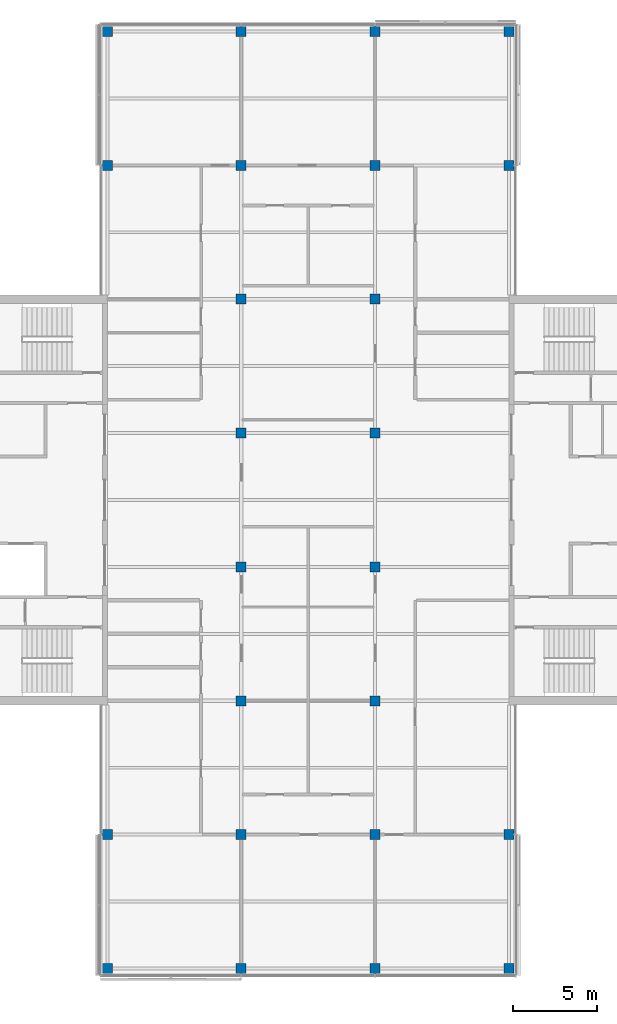
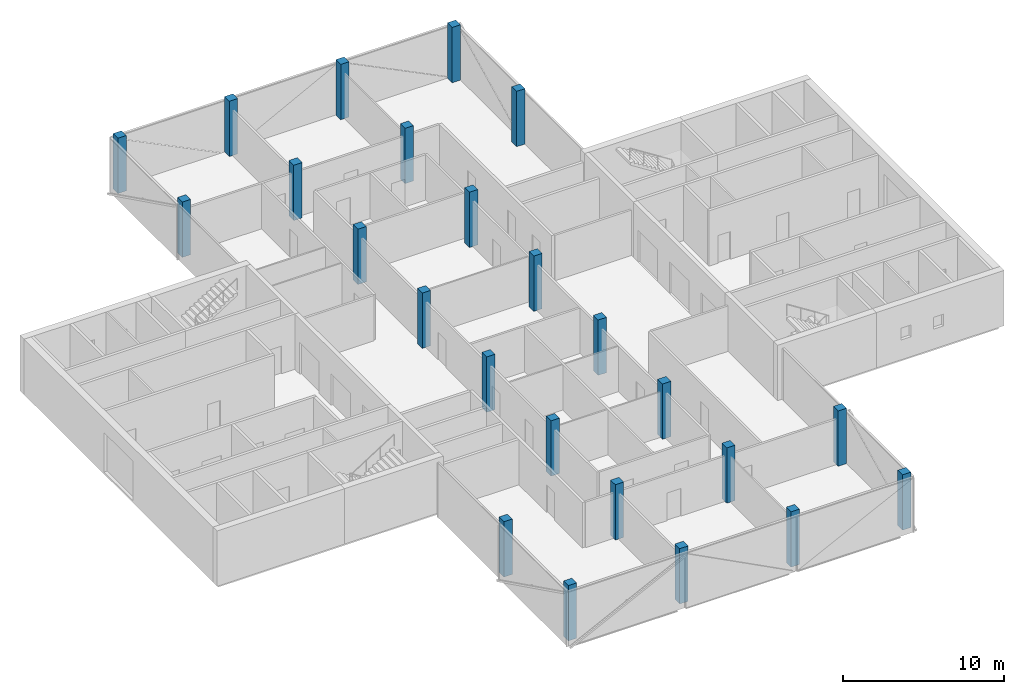
# One storey, part 1 of 16: 24 columns.
"""IFC4 building model written with IfcOpenShell, lengths in metres."""

from ifc_helpers import new_model, si_unit, direction, frame, origin, origin_2d, place, context, subcontext, project, spatial, rectangle, extrude, material, material_profile, profile_set, type_object, element, save


model = new_model("IFC4")

# Units and contexts
model_context = context("Model", 3, precision=1e-05, world=origin(), true_north=direction((0.0, 1.0)))
body_context = subcontext(model_context, "Body", "Model", "MODEL_VIEW")
ifc_project = project(units=[si_unit("LENGTHUNIT", "METRE"), si_unit("AREAUNIT", "SQUARE_METRE"), si_unit("VOLUMEUNIT", "CUBIC_METRE"), si_unit("PLANEANGLEUNIT", "RADIAN"), si_unit("MASSUNIT", "GRAM", prefix="KILO")], contexts=[model_context])

# Site, building, storey
site_placement = place(None, origin())
site = spatial("IfcSite", under=ifc_project, at=site_placement, CompositionType="ELEMENT")
building_placement = place(site_placement, origin())
building = spatial("IfcBuilding", under=site, at=building_placement, Name="Crosswind Convention Tower", CompositionType="ELEMENT")
storey_placement = place(building_placement, frame((0.0, 0.0, 336.5)))
storey = spatial("IfcBuildingStorey", under=building, at=storey_placement, Name="L73", CompositionType="ELEMENT", Elevation=336.5)

# Columns
ifc_material = material(Name="Concrete C60/75", Category="concrete")
ifc_material_profile = material_profile(ifc_material, rectangle(XDim=0.60009765625, YDim=0.60009765625, at=origin_2d()), Name="RC 600X600")
ifc_profile_set = profile_set([ifc_material_profile], Name="Concrete C60/75")
column_type = type_object("IfcColumnType", Name="Column RC 600X600", PredefinedType="COLUMN", material=ifc_profile_set)
for number, where, z_axis, x_axis, name in (
    (1, (113.0, 72.0, 0.0), (0.0, 0.0, 1.0), (1.0, 0.0, 0.0), "C16 L73 5/C"),
    (2, (113.0, 80.0, 0.0), (0.0, 0.0, 1.0), (1.0, 0.0, 0.0), "C16 L73 5/D"),
    (3, (113.0, 120.0, 0.0), (0.0, 0.0, 1.0), (1.0, 0.0, 0.0), "C16 L73 5/I"),
    (4, (113.0, 128.0, 0.0), (0.0, 0.0, 1.0), (1.0, 0.0, 0.0), "C16 L73 5/J"),
    (5, (121.0, 72.0, 0.0), (0.0, 0.0, 1.0), (1.0, 0.0, 0.0), "C16 L73 6/C"),
    (6, (121.0, 80.0, 0.0), (0.0, 0.0, 1.0), (1.0, 0.0, 0.0), "C16 L73 6/D"),
    (7, (121.0, 88.0, 0.0), (0.0, 0.0, 1.0), (1.0, 0.0, 0.0), "C16 L73 6/E"),
    (8, (121.0, 96.0, 0.0), (0.0, 0.0, 1.0), (1.0, 0.0, 0.0), "C16 L73 6/F"),
    (9, (121.0, 104.0, 0.0), (0.0, 0.0, 1.0), (1.0, 0.0, 0.0), "C16 L73 6/G"),
    (10, (121.0, 112.0, 0.0), (0.0, 0.0, 1.0), (1.0, 0.0, 0.0), "C16 L73 6/H"),
    (11, (121.0, 120.0, 0.0), (0.0, 0.0, 1.0), (1.0, 0.0, 0.0), "C16 L73 6/I"),
    (12, (121.0, 128.0, 0.0), (0.0, 0.0, 1.0), (1.0, 0.0, 0.0), "C16 L73 6/J"),
    (13, (129.0, 72.0, 0.0), (0.0, 0.0, 1.0), (1.0, 0.0, 0.0), "C16 L73 7/C"),
    (14, (129.0, 80.0, 0.0), (0.0, 0.0, 1.0), (1.0, 0.0, 0.0), "C16 L73 7/D"),
    (15, (129.0, 88.0, 0.0), (0.0, 0.0, 1.0), (1.0, 0.0, 0.0), "C16 L73 7/E"),
    (16, (129.0, 96.0, 0.0), (0.0, 0.0, 1.0), (1.0, 0.0, 0.0), "C16 L73 7/F"),
    (17, (129.0, 104.0, 0.0), (0.0, 0.0, 1.0), (1.0, 0.0, 0.0), "C16 L73 7/G"),
    (18, (129.0, 112.0, 0.0), (0.0, 0.0, 1.0), (1.0, 0.0, 0.0), "C16 L73 7/H"),
    (19, (129.0, 120.0, 0.0), (0.0, 0.0, 1.0), (1.0, 0.0, 0.0), "C16 L73 7/I"),
    (20, (129.0, 128.0, 0.0), (0.0, 0.0, 1.0), (1.0, 0.0, 0.0), "C16 L73 7/J"),
    (21, (137.0, 72.0, 0.0), (0.0, 0.0, 1.0), (1.0, 0.0, 0.0), "C16 L73 8/C"),
    (22, (137.0, 80.0, 0.0), (0.0, 0.0, 1.0), (1.0, 0.0, 0.0), "C16 L73 8/D"),
    (23, (137.0, 120.0, 0.0), (0.0, 0.0, 1.0), (1.0, 0.0, 0.0), "C16 L73 8/I"),
    (24, (137.0, 128.0, 0.0), (0.0, 0.0, 1.0), (1.0, 0.0, 0.0), "C16 L73 8/J"),
):
    element("IfcColumn", number, at=place(storey_placement, frame(where, z_axis=z_axis, x_axis=x_axis)), inside=storey, type_object=column_type, Name=name, PredefinedType="COLUMN", context=body_context, shape_type="SweptSolid", body=[
        extrude(rectangle(XDim=0.60009765625, YDim=0.60009765625, at=origin_2d()), origin(), (0.0, 0.0, 1.0), 4.199951171875),
    ])

save(model, "model.ifc")
